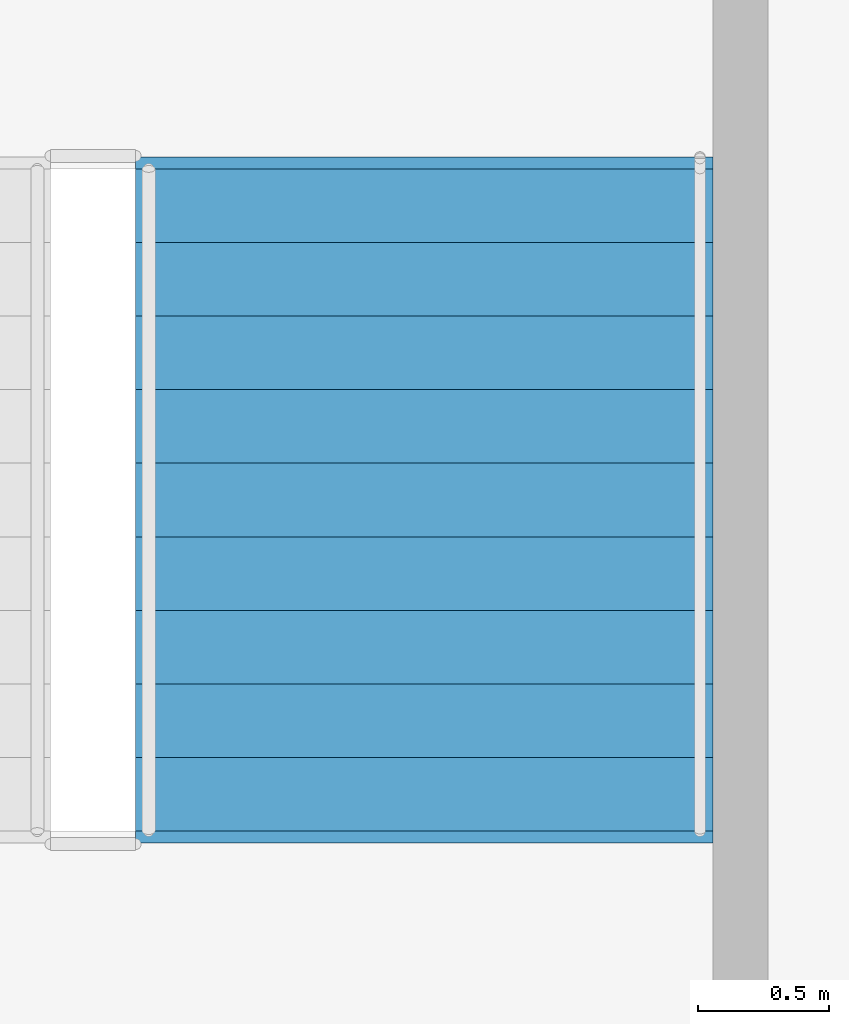
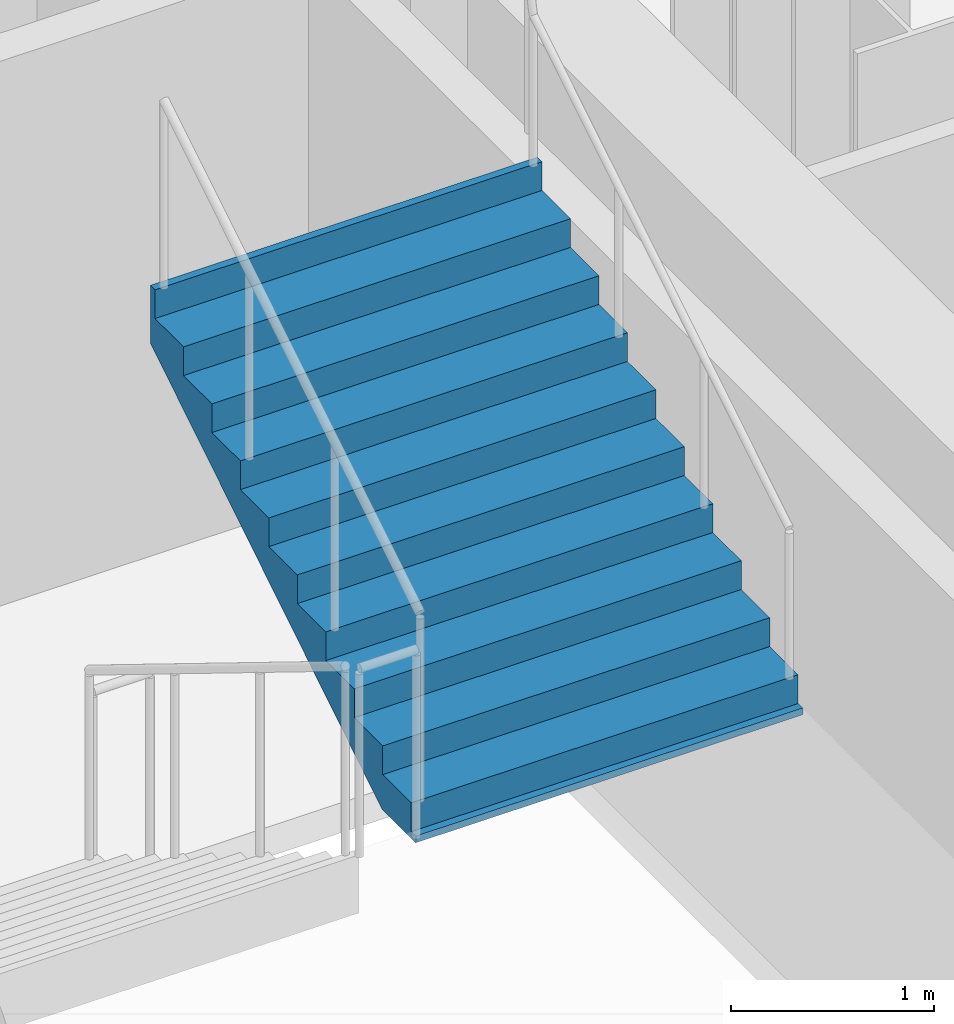
# One storey, part 8 of 10: 1 stair flight, 1 element without a shape of its own.
"""IFC4 building model written with IfcOpenShell, lengths in metres."""

from ifc_helpers import new_model, si_unit, direction, frame, origin, place, context, subcontext, project, spatial, polyline, outline, extrude, material, layer, layer_set, type_object, element, aggregate, save


model = new_model("IFC4")

# Units and contexts
model_context = context("Model", 3, precision=1e-05, world=origin(), true_north=direction((0.0, 1.0)))
body_context = subcontext(model_context, "Body", "Model", "MODEL_VIEW")
ifc_project = project(units=[si_unit("LENGTHUNIT", "METRE"), si_unit("AREAUNIT", "SQUARE_METRE"), si_unit("VOLUMEUNIT", "CUBIC_METRE"), si_unit("PLANEANGLEUNIT", "RADIAN"), si_unit("MASSUNIT", "GRAM", prefix="KILO")], contexts=[model_context])

# Site, building, storey
site_placement = place(None, origin())
site = spatial("IfcSite", under=ifc_project, at=site_placement, CompositionType="ELEMENT")
building_placement = place(site_placement, origin())
building = spatial("IfcBuilding", under=site, at=building_placement, Name="Velakula Bourse", CompositionType="ELEMENT")
storey_placement = place(building_placement, frame((0.0, 0.0, 124.300048828125)))
storey = spatial("IfcBuildingStorey", under=building, at=storey_placement, Name="L33", CompositionType="ELEMENT", Elevation=124.300048828125)

# Stair, stair flight
ifc_material = material(Name="Concrete M45 (fck 45 MPa)", Category="concrete")
stair_type = type_object("IfcStairType", Name="STR-DOG-390", PredefinedType="HALF_TURN_STAIR", material=ifc_material)
stair_placement = place(storey_placement, origin())
stair = element("IfcStair", 1, at=stair_placement, inside=storey, type_object=stair_type, Name="L33 East Core Exit Stair ST-E1", PredefinedType="HALF_TURN_STAIR")
ifc_layer = layer(ifc_material, 0.195068359375, Name="Concrete M45 (fck 45 MPa)", Category="concrete")
ifc_layer_set = layer_set([ifc_layer], Name="Concrete M45 (fck 45 MPa)")
stair_flight_type = type_object("IfcStairFlightType", Name="FLT-DOG-390", PredefinedType="STRAIGHT", material=ifc_layer_set)
stair_flight_placement = place(storey_placement, frame((16.720947265625, -4.719970703125, 1.724853515625), z_axis=(0.0, 0.0, 1.0), x_axis=(0.0, 1.0, 0.0)))
stair_flight = element("IfcStairFlight", 2, at=stair_flight_placement, type_object=stair_flight_type, Name="ST-E1 flight 2", NumberOfRisers=10, NumberOfTreads=9, PredefinedType="STRAIGHT", RiserHeight=0.1725, TreadLength=0.28, context=body_context, shape_type="SweptSolid", body=[
    extrude(outline(polyline([(-0.044921875, -0.0400390625), (-0.044921875, -0.036865234375), (-0.044921875, -0.033935546875), (-0.044921875, -0.03076171875), (-0.044921875, -0.027587890625), (-0.044921875, -0.024658203125), (-0.044921875, -0.021484375), (-0.044921875, -0.0185546875), (-0.044921875, -0.015380859375), (-0.044921875, -0.01220703125), (-0.044921875, -0.00927734375), (-0.044921875, -0.006103515625), (-0.044921875, -0.003173828125), (-0.044921875, 0.0), (0.0, 0.0), (0.0, 0.172607421875), (0.280029296875, 0.172607421875), (0.280029296875, 0.344970703125), (0.56005859375, 0.344970703125), (0.56005859375, 0.517578125), (0.840087890625, 0.517578125), (0.840087890625, 0.68994140625), (1.1201171875, 0.68994140625), (1.1201171875, 0.862548828125), (1.39990234375, 0.862548828125), (1.39990234375, 1.034912109375), (1.679931640625, 1.034912109375), (1.679931640625, 1.20751953125), (1.9599609375, 1.20751953125), (1.9599609375, 1.3798828125), (2.239990234375, 1.3798828125), (2.239990234375, 1.552490234375), (2.52001953125, 1.552490234375), (2.52001953125, 1.72509765625), (2.56494140625, 1.72509765625), (2.56494140625, 1.7001953125), (2.56494140625, 1.67529296875), (2.56494140625, 1.650390625), (2.56494140625, 1.62548828125), (2.56494140625, 1.6005859375), (2.56494140625, 1.57568359375), (2.56494140625, 1.55078125), (2.56494140625, 1.52587890625), (2.56494140625, 1.5009765625), (2.56494140625, 1.47607421875), (2.56494140625, 1.451171875), (2.56494140625, 1.42626953125), (2.56494140625, 1.4013671875), (2.56494140625, 1.37646484375), (0.285888671875, -0.0400390625), (-0.044921875, -0.0400390625)])), frame((0.0, 1.09912109375, 0.0), z_axis=(0.0, -1.0, 0.0), x_axis=(1.0, 0.0, 0.0)), (0.0, 0.0, 1.0), 2.197998046875),
])
aggregate(stair, [stair_flight])

save(model, "model.ifc")
